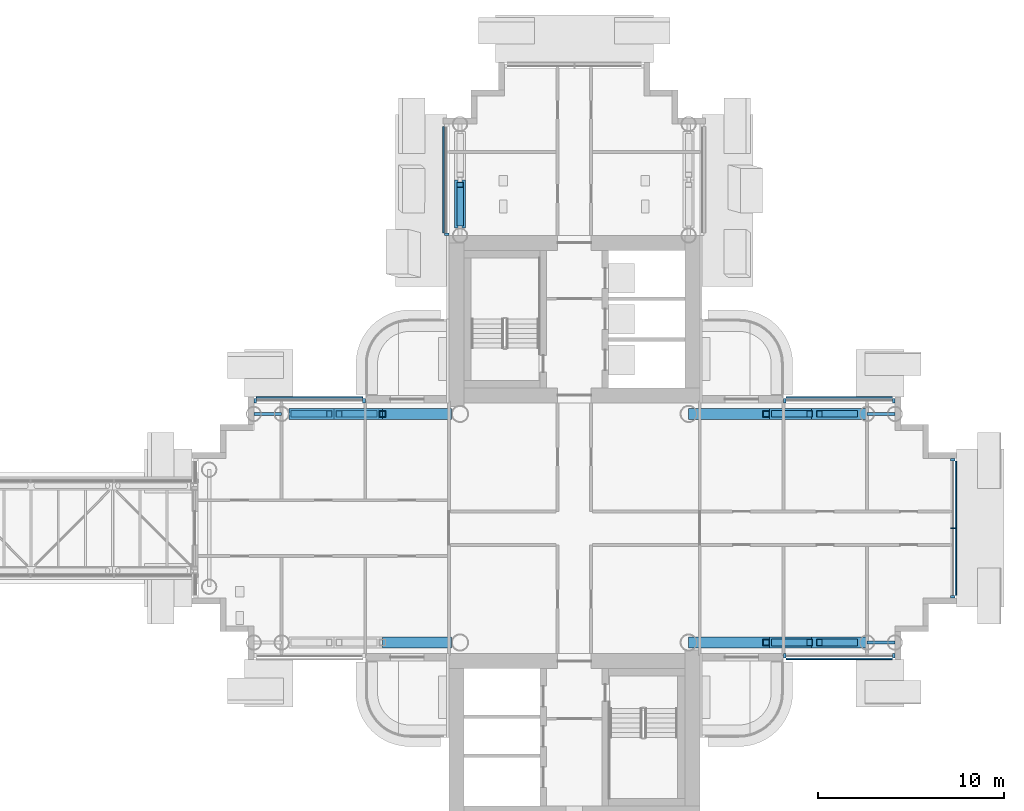
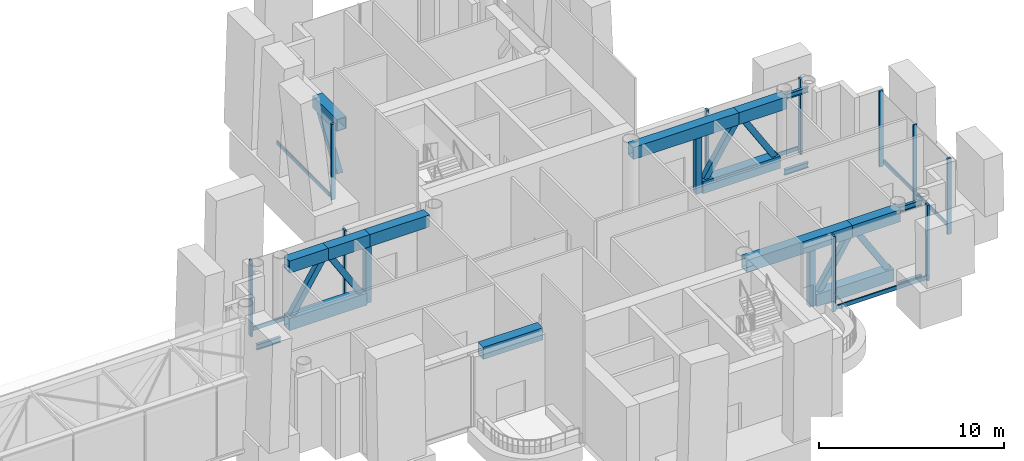
# One storey, part 7 of 34: 33 members, 9 beams, 5 elements without a shape of their own.
"""IFC4 building model written with IfcOpenShell, lengths in metres."""

from ifc_helpers import new_model, si_unit, direction, frame, origin, origin_2d, place, context, subcontext, project, spatial, rectangle, hollow_rectangle, i_section, extrude, material, layer, layer_set, material_profile, profile_set, type_object, element, aggregate, save


model = new_model("IFC4")

# Units and contexts
model_context = context("Model", 3, precision=1e-05, world=origin(), true_north=direction((0.0, 1.0)))
body_context = subcontext(model_context, "Body", "Model", "MODEL_VIEW")
ifc_project = project(units=[si_unit("LENGTHUNIT", "METRE"), si_unit("AREAUNIT", "SQUARE_METRE"), si_unit("VOLUMEUNIT", "CUBIC_METRE"), si_unit("PLANEANGLEUNIT", "RADIAN"), si_unit("MASSUNIT", "GRAM", prefix="KILO")], contexts=[model_context])

# Site, building, storey
site_placement = place(None, origin())
site = spatial("IfcSite", under=ifc_project, at=site_placement, CompositionType="ELEMENT")
building_placement = place(site_placement, origin())
building = spatial("IfcBuilding", under=site, at=building_placement, Name="Ipe Terrace Towers", CompositionType="ELEMENT")
storey_placement = place(building_placement, frame((0.0, 0.0, 128.699951171875)))
storey = spatial("IfcBuildingStorey", under=building, at=storey_placement, Name="L35", CompositionType="ELEMENT", Elevation=128.699951171875)

# Beams
ifc_material_1 = material(Name="Steel S355", Category="steel")
ifc_material_profile_1 = material_profile(ifc_material_1, i_section(OverallWidth=0.175048828125, OverallDepth=0.35009765625, WebThickness=0.007080078125, FlangeThickness=0.010986328125, at=origin_2d()), Name="H-350x175x7x11")
ifc_profile_set_1 = profile_set([ifc_material_profile_1], Name="Steel S355")
beam_type_1 = type_object("IfcBeamType", Name="H04 DECK EDGE BEAM H-350x175x7x11", PredefinedType="BEAM", material=ifc_profile_set_1)
for number, where, z_axis, x_axis, name in (
    (1, (51.75, -6.14990234375, 4.405029296875), (1.0, 0.0, 0.0), (0.0, 1.0, 0.0), "Deck edge beam T2-TB-D03-D05"),
    (2, (51.75, 6.14990234375, 4.405029296875), (1.0, 0.0, 0.0), (0.0, 1.0, 0.0), "Deck edge beam T2-TB-D04-D06"),
):
    element("IfcBeam", number, at=place(storey_placement, frame(where, z_axis=z_axis, x_axis=x_axis)), inside=storey, type_object=beam_type_1, Name=name, PredefinedType="BEAM", context=body_context, shape_type="SweptSolid", body=[
        extrude(i_section(OverallWidth=0.175048828125, OverallDepth=0.35009765625, WebThickness=0.007080078125, FlangeThickness=0.010986328125, at=origin_2d()), origin(), (0.0, 0.0, 1.0), 1.5),
    ])
ifc_material_2 = material(Name="Steel S355", Category="steel")
ifc_material_profile_2 = material_profile(ifc_material_2, i_section(OverallWidth=0.175048828125, OverallDepth=0.35009765625, WebThickness=0.007080078125, FlangeThickness=0.010986328125, at=origin_2d()), Name="H-350x175x7x11")
ifc_profile_set_2 = profile_set([ifc_material_profile_2], Name="Steel S355")
beam_type_2 = type_object("IfcBeamType", Name="H04 EDGE BEAM H-350x175x7x11", PredefinedType="BEAM", material=ifc_profile_set_2)
for number, where, z_axis, x_axis, name in (
    (3, (20.25, 6.14990234375, -0.574951171875), (-1.0, 0.0, 0.0), (0.0, -1.0, 0.0), "Edge beam T2-EB-B03-B05"),
    (4, (51.75, -6.14990234375, -0.574951171875), (1.0, 0.0, 0.0), (0.0, 1.0, 0.0), "Edge beam T2-EB-D03-D05"),
    (5, (51.75, 6.14990234375, -0.574951171875), (1.0, 0.0, 0.0), (0.0, 1.0, 0.0), "Edge beam T2-EB-D04-D06"),
):
    element("IfcBeam", number, at=place(storey_placement, frame(where, z_axis=z_axis, x_axis=x_axis)), inside=storey, type_object=beam_type_2, Name=name, PredefinedType="BEAM", context=body_context, shape_type="SweptSolid", body=[
        extrude(i_section(OverallWidth=0.175048828125, OverallDepth=0.35009765625, WebThickness=0.007080078125, FlangeThickness=0.010986328125, at=origin_2d()), origin(), (0.0, 0.0, 1.0), 1.5),
    ])

# Members
ifc_material_3 = material(Name="Steel S355", Category="steel")
ifc_material_profile_3 = material_profile(ifc_material_3, hollow_rectangle(XDim=0.35009765625, YDim=0.35009765625, WallThickness=0.02001953125, at=origin_2d()), Name="OUTRIGGER-BRACE BOX 350x350x20")
ifc_profile_set_3 = profile_set([ifc_material_profile_3], Name="Steel S355")
member_type_1 = type_object("IfcMemberType", Name="OUTRIGGER-BRACE BOX 350x350x20", PredefinedType="BRACE", material=ifc_profile_set_3)
member_1_placement = place(storey_placement, frame((29.85009765625, 16.4169921875, 0.780029296875), z_axis=(0.0, 0.56206654505, 0.827092013585), x_axis=(-1.0, 0.0, 0.0)))
element("IfcMember", 6, at=member_1_placement, inside=storey, type_object=member_type_1, Name="T2-OR-L35-196 diagonal", PredefinedType="BRACE", context=body_context, shape_type="SweptSolid", body=[
    extrude(hollow_rectangle(XDim=0.35009765625, YDim=0.35009765625, WallThickness=0.02001953125, at=origin_2d()), origin(), (0.0, 0.0, 1.0), 3.675537109375),
])
for number, where, z_axis, x_axis, name in (
    (7, (25.238037109375, 6.14990234375, 0.780029296875), (-0.530219259302, 0.0, 0.847860564636), (0.0, -1.0, 0.0), "T2-OR-L35-213 diagonal"),
    (8, (20.912109375, 6.14990234375, 0.780029296875), (0.530170308736, 0.0, 0.847891174464), (0.0, 1.0, 0.0), "T2-OR-L35-214 diagonal"),
    (9, (46.761962890625, 6.14990234375, 0.780029296875), (0.530219259302, 0.0, 0.847860564636), (0.0, 1.0, 0.0), "T2-OR-L35-220 diagonal"),
    (10, (51.087890625, 6.14990234375, 0.780029296875), (-0.530170308736, 0.0, 0.847891174464), (0.0, -1.0, 0.0), "T2-OR-L35-221 diagonal"),
    (11, (46.761962890625, -6.14990234375, 0.780029296875), (0.530219259302, 0.0, 0.847860564636), (0.0, 1.0, 0.0), "T2-OR-L35-224 diagonal"),
    (12, (51.087890625, -6.14990234375, 0.780029296875), (-0.530170308736, 0.0, 0.847891174464), (0.0, -1.0, 0.0), "T2-OR-L35-225 diagonal"),
):
    element("IfcMember", number, at=place(storey_placement, frame(where, z_axis=z_axis, x_axis=x_axis)), inside=storey, type_object=member_type_1, Name=name, PredefinedType="BRACE", context=body_context, shape_type="SweptSolid", body=[
        extrude(hollow_rectangle(XDim=0.35009765625, YDim=0.35009765625, WallThickness=0.02001953125, at=origin_2d()), origin(), (0.0, 0.0, 1.0), 3.58544921875),
    ])
ifc_material_4 = material(Name="Steel S355", Category="steel")
ifc_material_profile_4 = material_profile(ifc_material_4, hollow_rectangle(XDim=0.60009765625, YDim=0.800048828125, WallThickness=0.0400390625, at=origin_2d()), Name="OUTRIGGER-CHORD BOX 600x800x40")
ifc_profile_set_4 = profile_set([ifc_material_profile_4], Name="Steel S355")
member_type_2 = type_object("IfcMemberType", Name="OUTRIGGER-CHORD BOX 600x800x40", PredefinedType="CHORD", material=ifc_profile_set_4)
member_2_placement = place(storey_placement, frame((29.85009765625, 16.14990234375, 4.199951171875), z_axis=(0.0, 1.0, 0.0), x_axis=(-1.0, 0.0, 0.0)))
element("IfcMember", 13, at=member_2_placement, inside=storey, type_object=member_type_2, Name="T2-OR-L35-198 top chord", PredefinedType="CHORD", context=body_context, shape_type="SweptSolid", body=[
    extrude(hollow_rectangle(XDim=0.60009765625, YDim=0.800048828125, WallThickness=0.0400390625, at=origin_2d()), origin(), (0.0, 0.0, 1.0), 2.60009765625),
])
member_3_placement = place(storey_placement, frame((29.39990234375, -6.14990234375, 4.199951171875), z_axis=(-1.0, 0.0, 0.0), x_axis=(0.0, -1.0, 0.0)))
element("IfcMember", 14, at=member_3_placement, inside=storey, type_object=member_type_2, Name="T2-OR-L35-209 top chord", PredefinedType="CHORD", context=body_context, shape_type="SweptSolid", body=[
    extrude(hollow_rectangle(XDim=0.60009765625, YDim=0.800048828125, WallThickness=0.0400390625, at=origin_2d()), origin(), (0.0, 0.0, 1.0), 3.724853515625),
])
member_4_placement = place(storey_placement, frame((25.5, 6.14990234375, 0.400146484375), z_axis=(-1.0, 0.0, 0.0), x_axis=(0.0, -1.0, 0.0)))
element("IfcMember", 15, at=member_4_placement, inside=storey, type_object=member_type_2, Name="T2-OR-L35-212 bottom chord", PredefinedType="CHORD", context=body_context, shape_type="SweptSolid", body=[
    extrude(hollow_rectangle(XDim=0.60009765625, YDim=0.800048828125, WallThickness=0.0400390625, at=origin_2d()), origin(), (0.0, 0.0, 1.0), 4.85009765625),
])
member_5_placement = place(storey_placement, frame((29.39990234375, 6.14990234375, 4.199951171875), z_axis=(-1.0, 0.0, 0.0), x_axis=(0.0, -1.0, 0.0)))
element("IfcMember", 16, at=member_5_placement, inside=storey, type_object=member_type_2, Name="T2-OR-L35-216 top chord", PredefinedType="CHORD", context=body_context, shape_type="SweptSolid", body=[
    extrude(hollow_rectangle(XDim=0.60009765625, YDim=0.800048828125, WallThickness=0.0400390625, at=origin_2d()), origin(), (0.0, 0.0, 1.0), 3.724853515625),
])
member_6_placement = place(storey_placement, frame((25.675048828125, 6.14990234375, 4.199951171875), z_axis=(-1.0, 0.0, 0.0), x_axis=(0.0, -1.0, 0.0)))
element("IfcMember", 17, at=member_6_placement, inside=storey, type_object=member_type_2, Name="T2-OR-L35-217 top chord", PredefinedType="CHORD", context=body_context, shape_type="SweptSolid", body=[
    extrude(hollow_rectangle(XDim=0.60009765625, YDim=0.800048828125, WallThickness=0.0400390625, at=origin_2d()), origin(), (0.0, 0.0, 1.0), 2.60009765625),
])
member_7_placement = place(storey_placement, frame((23.074951171875, 6.14990234375, 4.199951171875), z_axis=(-1.0, 0.0, 0.0), x_axis=(0.0, -1.0, 0.0)))
element("IfcMember", 18, at=member_7_placement, inside=storey, type_object=member_type_2, Name="T2-OR-L35-218 top chord", PredefinedType="CHORD", context=body_context, shape_type="SweptSolid", body=[
    extrude(hollow_rectangle(XDim=0.60009765625, YDim=0.800048828125, WallThickness=0.0400390625, at=origin_2d()), origin(), (0.0, 0.0, 1.0), 2.425048828125),
])
for number, where, z_axis, x_axis, name in (
    (19, (46.5, 6.14990234375, 0.400146484375), (1.0, 0.0, 0.0), (0.0, 1.0, 0.0), "T2-OR-L35-219 bottom chord"),
    (20, (46.5, -6.14990234375, 0.400146484375), (1.0, 0.0, 0.0), (0.0, 1.0, 0.0), "T2-OR-L35-223 bottom chord"),
):
    element("IfcMember", number, at=place(storey_placement, frame(where, z_axis=z_axis, x_axis=x_axis)), inside=storey, type_object=member_type_2, Name=name, PredefinedType="CHORD", context=body_context, shape_type="SweptSolid", body=[
        extrude(hollow_rectangle(XDim=0.60009765625, YDim=0.800048828125, WallThickness=0.0400390625, at=origin_2d()), origin(), (0.0, 0.0, 1.0), 4.85009765625),
    ])
ifc_material_5 = material(Name="Steel S355", Category="steel")
ifc_material_profile_5 = material_profile(ifc_material_5, hollow_rectangle(XDim=0.35009765625, YDim=0.35009765625, WallThickness=0.02001953125, at=origin_2d()), Name="OUTRIGGER-POST BOX 350x350x20")
ifc_profile_set_5 = profile_set([ifc_material_profile_5], Name="Steel S355")
member_type_3 = type_object("IfcMemberType", Name="OUTRIGGER-POST BOX 350x350x20", PredefinedType="POST", material=ifc_profile_set_5)
for number, where, z_axis, x_axis, name in (
    (21, (25.675048828125, 6.14990234375, 0.0), (0.0, 0.0, 1.0), (1.0, 0.0, 0.0), "T2-OR-L35-215 post"),
    (22, (46.324951171875, 6.14990234375, 0.0), (0.0, 0.0, 1.0), (1.0, 0.0, 0.0), "T2-OR-L35-222 post"),
    (23, (46.324951171875, -6.14990234375, 0.0), (0.0, 0.0, 1.0), (1.0, 0.0, 0.0), "T2-OR-L35-226 post"),
):
    element("IfcMember", number, at=place(storey_placement, frame(where, z_axis=z_axis, x_axis=x_axis)), inside=storey, type_object=member_type_3, Name=name, PredefinedType="POST", context=body_context, shape_type="SweptSolid", body=[
        extrude(hollow_rectangle(XDim=0.35009765625, YDim=0.35009765625, WallThickness=0.02001953125, at=origin_2d()), origin(), (0.0, 0.0, 1.0), 3.800048828125),
    ])

# Curtain wall, members
ifc_material_6 = material(Name="Aluminium alloy 6063-T6", Category="aluminium")
ifc_layer = layer(ifc_material_6, 0.320068359375)
ifc_layer_set = layer_set([ifc_layer], Name="REFUGE FLOOR CURTAIN WALL")
curtain_wall_type = type_object("IfcCurtainWallType", Name="REFUGE FLOOR CURTAIN WALL", PredefinedType="NOTDEFINED", material=ifc_layer_set)
curtain_wall_1_placement = place(storey_placement, origin())
curtain_wall_1 = element("IfcCurtainWall", 24, at=curtain_wall_1_placement, inside=storey, type_object=curtain_wall_type, Name="T2-CW-L35-03a curtain wall", PredefinedType="NOTDEFINED")
ifc_material_7 = material(Name="Aluminium alloy 6063-T6", Category="aluminium")
ifc_material_profile_6 = material_profile(ifc_material_7, rectangle(XDim=0.239990234375, YDim=0.139892578125, at=origin_2d()), Name="REFUGE FLOOR CORNER MULLION 240 x 140")
ifc_profile_set_6 = profile_set([ifc_material_profile_6], Name="Aluminium alloy 6063-T6")
member_type_4 = type_object("IfcMemberType", Name="REFUGE FLOOR CORNER MULLION 240 x 140", PredefinedType="MULLION", material=ifc_profile_set_6)
member_8_placement = place(storey_placement, frame((47.320068359375, -6.8701171875, -0.300048828125), z_axis=(0.0, 0.0, 1.0), x_axis=(0.0, -1.0, 0.0)))
member_8 = element("IfcMember", 25, at=member_8_placement, type_object=member_type_4, Name="T2-CW-L35-03a mullion 1", PredefinedType="MULLION", context=body_context, shape_type="SweptSolid", body=[
    extrude(rectangle(XDim=0.239990234375, YDim=0.139892578125, at=origin_2d()), origin(), (0.0, 0.0, 1.0), 5.0),
])
member_9_placement = place(storey_placement, frame((53.179931640625, -6.8701171875, -0.300048828125), z_axis=(0.0, 0.0, 1.0), x_axis=(0.0, -1.0, 0.0)))
member_9 = element("IfcMember", 26, at=member_9_placement, type_object=member_type_4, Name="T2-CW-L35-03a mullion 2", PredefinedType="MULLION", context=body_context, shape_type="SweptSolid", body=[
    extrude(rectangle(XDim=0.239990234375, YDim=0.139892578125, at=origin_2d()), origin(), (0.0, 0.0, 1.0), 5.0),
])

curtain_wall_2_placement = place(storey_placement, origin())
curtain_wall_2 = element("IfcCurtainWall", 27, at=curtain_wall_2_placement, inside=storey, type_object=curtain_wall_type, Name="T2-CW-L35-08a curtain wall", PredefinedType="NOTDEFINED")
member_10_placement = place(storey_placement, frame((56.3701171875, -3.679931640625, -0.300048828125), z_axis=(0.0, 0.0, 1.0), x_axis=(1.0, 0.0, 0.0)))
member_10 = element("IfcMember", 28, at=member_10_placement, type_object=member_type_4, Name="T2-CW-L35-08a mullion 1", PredefinedType="MULLION", context=body_context, shape_type="SweptSolid", body=[
    extrude(rectangle(XDim=0.239990234375, YDim=0.139892578125, at=origin_2d()), origin(), (0.0, 0.0, 1.0), 5.0),
])
member_11_placement = place(storey_placement, frame((56.3701171875, 3.679931640625, -0.300048828125), z_axis=(0.0, 0.0, 1.0), x_axis=(1.0, 0.0, 0.0)))
member_11 = element("IfcMember", 29, at=member_11_placement, type_object=member_type_4, Name="T2-CW-L35-08a mullion 3", PredefinedType="MULLION", context=body_context, shape_type="SweptSolid", body=[
    extrude(rectangle(XDim=0.239990234375, YDim=0.139892578125, at=origin_2d()), origin(), (0.0, 0.0, 1.0), 5.0),
])

curtain_wall_3_placement = place(storey_placement, origin())
curtain_wall_3 = element("IfcCurtainWall", 30, at=curtain_wall_3_placement, inside=storey, type_object=curtain_wall_type, Name="T2-CW-L35-13a curtain wall", PredefinedType="NOTDEFINED")
member_12_placement = place(storey_placement, frame((53.179931640625, 6.8701171875, -0.300048828125), z_axis=(0.0, 0.0, 1.0), x_axis=(0.0, 1.0, 0.0)))
member_12 = element("IfcMember", 31, at=member_12_placement, type_object=member_type_4, Name="T2-CW-L35-13a mullion 1", PredefinedType="MULLION", context=body_context, shape_type="SweptSolid", body=[
    extrude(rectangle(XDim=0.239990234375, YDim=0.139892578125, at=origin_2d()), origin(), (0.0, 0.0, 1.0), 5.0),
])
member_13_placement = place(storey_placement, frame((47.320068359375, 6.8701171875, -0.300048828125), z_axis=(0.0, 0.0, 1.0), x_axis=(0.0, 1.0, 0.0)))
member_13 = element("IfcMember", 32, at=member_13_placement, type_object=member_type_4, Name="T2-CW-L35-13a mullion 2", PredefinedType="MULLION", context=body_context, shape_type="SweptSolid", body=[
    extrude(rectangle(XDim=0.239990234375, YDim=0.139892578125, at=origin_2d()), origin(), (0.0, 0.0, 1.0), 5.0),
])

# Curtain wall, member
curtain_wall_4_placement = place(storey_placement, origin())
curtain_wall_4 = element("IfcCurtainWall", 33, at=curtain_wall_4_placement, inside=storey, type_object=curtain_wall_type, Name="T2-CW-L35-26a curtain wall", PredefinedType="NOTDEFINED")
member_14_placement = place(storey_placement, frame((29.1298828125, 15.821044921875, -0.300048828125), z_axis=(0.0, 0.0, 1.0), x_axis=(-1.0, 0.0, 0.0)))
member_14 = element("IfcMember", 34, at=member_14_placement, type_object=member_type_4, Name="T2-CW-L35-26a mullion 2", PredefinedType="MULLION", context=body_context, shape_type="SweptSolid", body=[
    extrude(rectangle(XDim=0.239990234375, YDim=0.139892578125, at=origin_2d()), origin(), (0.0, 0.0, 1.0), 5.0),
])

# Curtain wall, members
curtain_wall_5_placement = place(storey_placement, origin())
curtain_wall_5 = element("IfcCurtainWall", 35, at=curtain_wall_5_placement, inside=storey, type_object=curtain_wall_type, Name="T2-CW-L35-29a curtain wall", PredefinedType="NOTDEFINED")
member_15_placement = place(storey_placement, frame((24.679931640625, 6.8701171875, -0.300048828125), z_axis=(0.0, 0.0, 1.0), x_axis=(0.0, 1.0, 0.0)))
member_15 = element("IfcMember", 36, at=member_15_placement, type_object=member_type_4, Name="T2-CW-L35-29a mullion 1", PredefinedType="MULLION", context=body_context, shape_type="SweptSolid", body=[
    extrude(rectangle(XDim=0.239990234375, YDim=0.139892578125, at=origin_2d()), origin(), (0.0, 0.0, 1.0), 5.0),
])
member_16_placement = place(storey_placement, frame((18.820068359375, 6.8701171875, -0.300048828125), z_axis=(0.0, 0.0, 1.0), x_axis=(0.0, 1.0, 0.0)))
member_16 = element("IfcMember", 37, at=member_16_placement, type_object=member_type_4, Name="T2-CW-L35-29a mullion 2", PredefinedType="MULLION", context=body_context, shape_type="SweptSolid", body=[
    extrude(rectangle(XDim=0.239990234375, YDim=0.139892578125, at=origin_2d()), origin(), (0.0, 0.0, 1.0), 5.0),
])

# Member
ifc_material_8 = material(Name="Aluminium alloy 6063-T6", Category="aluminium")
ifc_material_profile_7 = material_profile(ifc_material_8, rectangle(XDim=0.239990234375, YDim=0.074951171875, at=origin_2d()), Name="REFUGE FLOOR MULLION 240 x 75")
ifc_profile_set_7 = profile_set([ifc_material_profile_7], Name="Aluminium alloy 6063-T6")
member_type_5 = type_object("IfcMemberType", Name="REFUGE FLOOR MULLION 240 x 75", PredefinedType="MULLION", material=ifc_profile_set_7)
member_17_placement = place(storey_placement, frame((56.3701171875, 0.0, -0.300048828125), z_axis=(0.0, 0.0, 1.0), x_axis=(1.0, 0.0, 0.0)))
member_17 = element("IfcMember", 38, at=member_17_placement, type_object=member_type_5, Name="T2-CW-L35-08a mullion 2", PredefinedType="MULLION", context=body_context, shape_type="SweptSolid", body=[
    extrude(rectangle(XDim=0.239990234375, YDim=0.074951171875, at=origin_2d()), origin(), (0.0, 0.0, 1.0), 5.0),
])

ifc_material_9 = material(Name="Aluminium alloy 6063-T6", Category="aluminium")
ifc_material_profile_8 = material_profile(ifc_material_9, rectangle(XDim=0.080078125, YDim=0.260009765625, at=origin_2d()), Name="REFUGE FLOOR TRANSOM 80 x 260")
ifc_profile_set_8 = profile_set([ifc_material_profile_8], Name="Aluminium alloy 6063-T6")
member_type_6 = type_object("IfcMemberType", Name="REFUGE FLOOR TRANSOM 80 x 260", PredefinedType="USERDEFINED", material=ifc_profile_set_8)
member_18_placement = place(storey_placement, frame((47.389892578125, -7.030029296875, 0.0), z_axis=(1.0, 0.0, 0.0), x_axis=(0.0, -1.0, 0.0)))
member_18 = element("IfcMember", 39, at=member_18_placement, type_object=member_type_6, Name="T2-CW-L35-03a transom", ObjectType="TRANSOM", PredefinedType="USERDEFINED", context=body_context, shape_type="SweptSolid", body=[
    extrude(rectangle(XDim=0.080078125, YDim=0.260009765625, at=origin_2d()), origin(), (0.0, 0.0, 1.0), 5.72021484375),
])

aggregate(curtain_wall_1, [member_8, member_9, member_18])

member_19_placement = place(storey_placement, frame((56.530029296875, -3.610107421875, 0.0), z_axis=(0.0, 1.0, 0.0), x_axis=(1.0, 0.0, 0.0)))
member_19 = element("IfcMember", 40, at=member_19_placement, type_object=member_type_6, Name="T2-CW-L35-08a transom", ObjectType="TRANSOM", PredefinedType="USERDEFINED", context=body_context, shape_type="SweptSolid", body=[
    extrude(rectangle(XDim=0.080078125, YDim=0.260009765625, at=origin_2d()), origin(), (0.0, 0.0, 1.0), 7.22021484375),
])

aggregate(curtain_wall_2, [member_10, member_17, member_11, member_19])

member_20_placement = place(storey_placement, frame((53.110107421875, 7.030029296875, 0.0), z_axis=(-1.0, 0.0, 0.0), x_axis=(0.0, 1.0, 0.0)))
member_20 = element("IfcMember", 41, at=member_20_placement, type_object=member_type_6, Name="T2-CW-L35-13a transom", ObjectType="TRANSOM", PredefinedType="USERDEFINED", context=body_context, shape_type="SweptSolid", body=[
    extrude(rectangle(XDim=0.080078125, YDim=0.260009765625, at=origin_2d()), origin(), (0.0, 0.0, 1.0), 5.72021484375),
])

aggregate(curtain_wall_3, [member_12, member_13, member_20])

member_21_placement = place(storey_placement, frame((28.969970703125, 21.610107421875, 0.0), z_axis=(0.0, -1.0, 0.0), x_axis=(-1.0, 0.0, 0.0)))
member_21 = element("IfcMember", 42, at=member_21_placement, type_object=member_type_6, Name="T2-CW-L35-26a transom", ObjectType="TRANSOM", PredefinedType="USERDEFINED", context=body_context, shape_type="SweptSolid", body=[
    extrude(rectangle(XDim=0.080078125, YDim=0.260009765625, at=origin_2d()), origin(), (0.0, 0.0, 1.0), 5.718994140625),
])

aggregate(curtain_wall_4, [member_14, member_21])

member_22_placement = place(storey_placement, frame((24.610107421875, 7.030029296875, 0.0), z_axis=(-1.0, 0.0, 0.0), x_axis=(0.0, 1.0, 0.0)))
member_22 = element("IfcMember", 43, at=member_22_placement, type_object=member_type_6, Name="T2-CW-L35-29a transom", ObjectType="TRANSOM", PredefinedType="USERDEFINED", context=body_context, shape_type="SweptSolid", body=[
    extrude(rectangle(XDim=0.080078125, YDim=0.260009765625, at=origin_2d()), origin(), (0.0, 0.0, 1.0), 5.72021484375),
])

aggregate(curtain_wall_5, [member_15, member_16, member_22])

# Beams
ifc_material_10 = material(Name="Steel S355", Category="steel")
ifc_material_profile_9 = material_profile(ifc_material_10, hollow_rectangle(XDim=0.60009765625, YDim=0.800048828125, WallThickness=0.0400390625, at=origin_2d()), Name="BOX-800x600x40")
ifc_profile_set_9 = profile_set([ifc_material_profile_9], Name="Steel S355")
beam_type_3 = type_object("IfcBeamType", Name="TG1 TRANSFER GIRDER BOX-800x600x40", PredefinedType="BEAM", material=ifc_profile_set_9)
beam_1_placement = place(storey_placement, frame((42.14990234375, -6.14990234375, 4.179931640625), z_axis=(1.0, 0.0, 0.0), x_axis=(0.0, 1.0, 0.0)))
element("IfcBeam", 44, at=beam_1_placement, inside=storey, type_object=beam_type_3, Name="Transfer girder T2-TG-D01-E01", PredefinedType="BEAM", context=body_context, shape_type="SweptSolid", body=[
    extrude(hollow_rectangle(XDim=0.60009765625, YDim=0.800048828125, WallThickness=0.0400390625, at=origin_2d()), origin(), (0.0, 0.0, 1.0), 6.60009765625),
])
beam_2_placement = place(storey_placement, frame((48.75, -6.14990234375, 4.179931640625), z_axis=(1.0, 0.0, 0.0), x_axis=(0.0, 1.0, 0.0)))
element("IfcBeam", 45, at=beam_2_placement, inside=storey, type_object=beam_type_3, Name="Transfer girder T2-TG-D01-D03", PredefinedType="BEAM", context=body_context, shape_type="SweptSolid", body=[
    extrude(hollow_rectangle(XDim=0.60009765625, YDim=0.800048828125, WallThickness=0.0400390625, at=origin_2d()), origin(), (0.0, 0.0, 1.0), 3.0),
])
beam_3_placement = place(storey_placement, frame((42.14990234375, 6.14990234375, 4.179931640625), z_axis=(1.0, 0.0, 0.0), x_axis=(0.0, 1.0, 0.0)))
element("IfcBeam", 46, at=beam_3_placement, inside=storey, type_object=beam_type_3, Name="Transfer girder T2-TG-D02-E02", PredefinedType="BEAM", context=body_context, shape_type="SweptSolid", body=[
    extrude(hollow_rectangle(XDim=0.60009765625, YDim=0.800048828125, WallThickness=0.0400390625, at=origin_2d()), origin(), (0.0, 0.0, 1.0), 6.60009765625),
])
beam_4_placement = place(storey_placement, frame((48.75, 6.14990234375, 4.179931640625), z_axis=(1.0, 0.0, 0.0), x_axis=(0.0, 1.0, 0.0)))
element("IfcBeam", 47, at=beam_4_placement, inside=storey, type_object=beam_type_3, Name="Transfer girder T2-TG-D02-D04", PredefinedType="BEAM", context=body_context, shape_type="SweptSolid", body=[
    extrude(hollow_rectangle(XDim=0.60009765625, YDim=0.800048828125, WallThickness=0.0400390625, at=origin_2d()), origin(), (0.0, 0.0, 1.0), 3.0),
])

save(model, "model.ifc")
